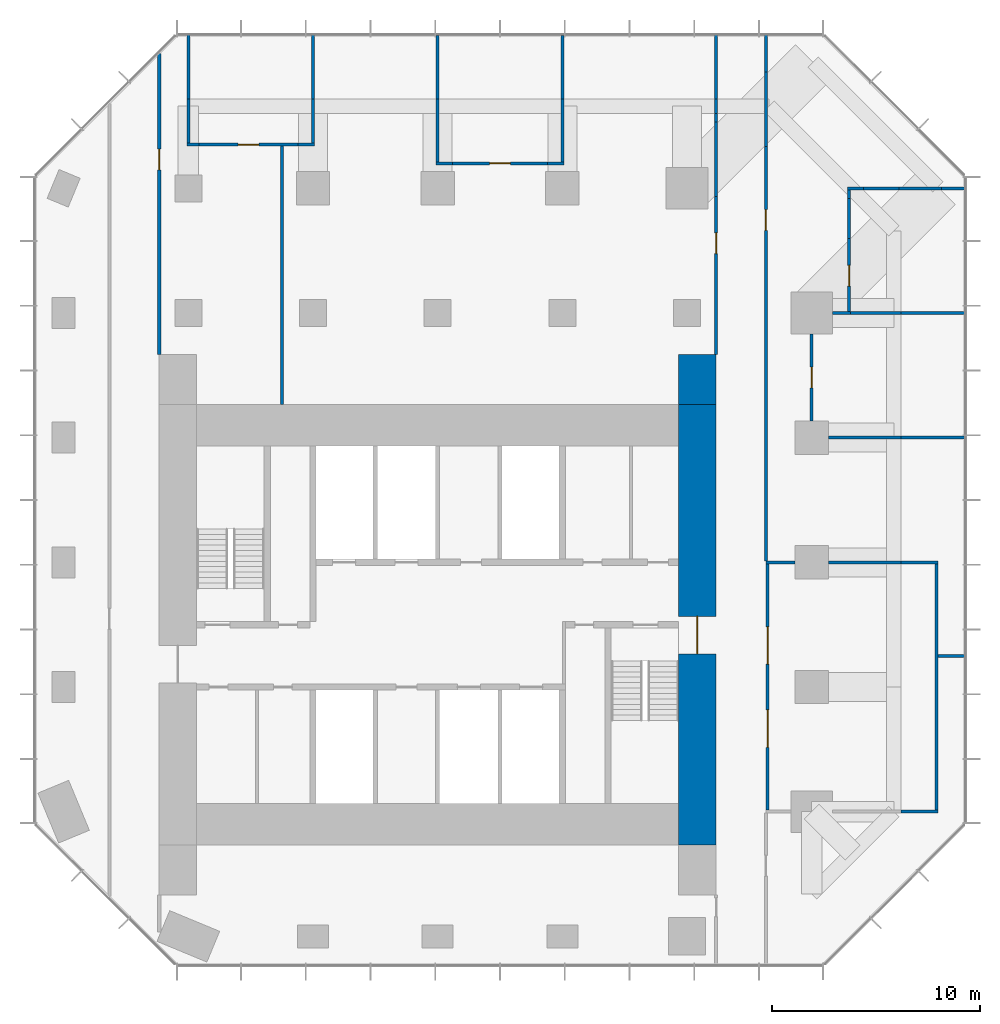
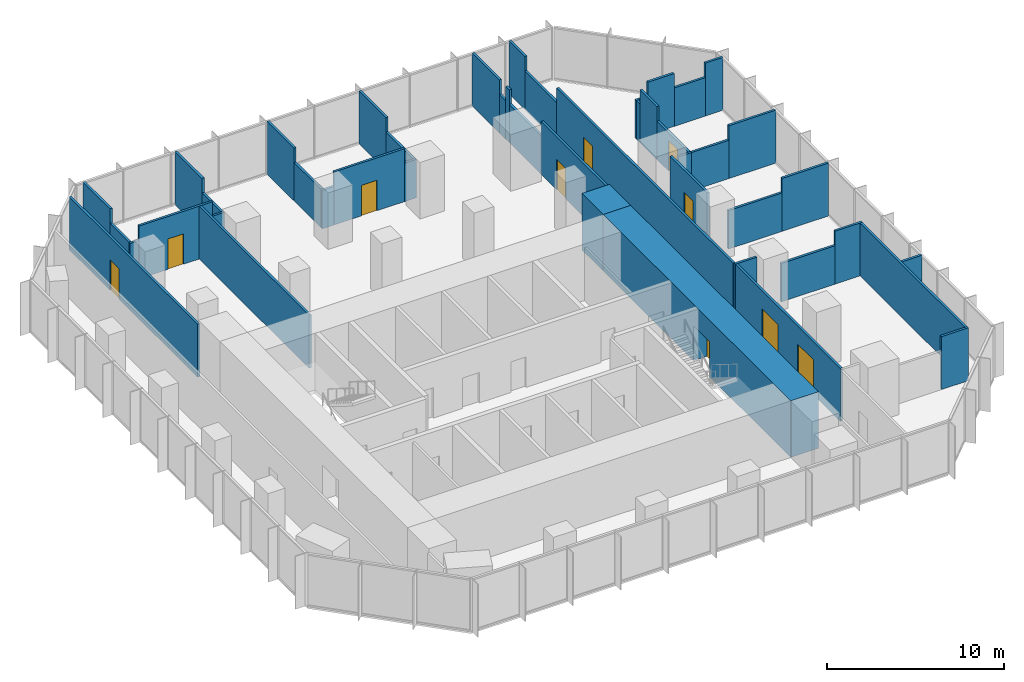
# One storey, part 9 of 11: 46 walls, 10 doors, 10 openings.
"""IFC4 building model written with IfcOpenShell, lengths in metres."""

from ifc_helpers import new_model, si_unit, direction, frame, frame_2d, origin, place, context, subcontext, project, spatial, rectangle, extrude, material, layer, layer_set, type_object, element, fill, save


model = new_model("IFC4")

# Units and contexts
model_context = context("Model", 3, precision=1e-05, world=origin(), true_north=direction((0.0, 1.0)))
body_context = subcontext(model_context, "Body", "Model", "MODEL_VIEW")
ifc_project = project(units=[si_unit("LENGTHUNIT", "METRE"), si_unit("AREAUNIT", "SQUARE_METRE"), si_unit("VOLUMEUNIT", "CUBIC_METRE"), si_unit("PLANEANGLEUNIT", "RADIAN"), si_unit("MASSUNIT", "GRAM", prefix="KILO")], contexts=[model_context])

# Site, building, storey
site_placement = place(None, origin())
site = spatial("IfcSite", under=ifc_project, at=site_placement, CompositionType="ELEMENT")
building_placement = place(site_placement, origin())
building = spatial("IfcBuilding", under=site, at=building_placement, Name="Highveld Stack Headquarters", CompositionType="ELEMENT")
storey_placement = place(building_placement, frame((0.0, 0.0, 169.39990234375)))
storey = spatial("IfcBuildingStorey", under=building, at=storey_placement, Name="L41", CompositionType="ELEMENT", Elevation=169.39990234375)

# Wall, opening, door
ifc_material_1 = material(Name="Concrete C60/75", Category="concrete")
ifc_layer_1 = layer(ifc_material_1, 1.800048828125)
ifc_layer_set_1 = layer_set([ifc_layer_1], Name="Concrete C60/75")
wall_type_1 = type_object("IfcWallType", Name="CORE WALL 1800 C60/75", PredefinedType="SHEAR", material=ifc_layer_set_1)
wall_1_placement = place(storey_placement, frame((18.5, -7.60009765625, 0.0), z_axis=(0.0, 0.0, 1.0), x_axis=(0.0, 1.0, 0.0)))
wall_1 = element("IfcWall", 1, at=wall_1_placement, inside=storey, type_object=wall_type_1, Name="Core wall E L41", PredefinedType="SHEAR", context=body_context, shape_type="SweptSolid", body=[
    extrude(rectangle(XDim=21.2001953125, YDim=1.800048828125, at=frame_2d((10.60009765625, 0.0))), origin(), (0.0, 0.0, 1.0), 3.900146484375),
])
opening_1_placement = place(wall_1_placement, frame((9.199951171875, 0.0, 0.0)))
opening_1 = element("IfcOpeningElement", 2, at=opening_1_placement, cuts=wall_1, Name="Opening L41-02", PredefinedType="OPENING", context=body_context, shape_type="SweptSolid", body=[
    extrude(rectangle(XDim=1.800048828125, YDim=2.39990234375, at=frame_2d((0.89990234375, 1.199951171875))), frame((0.0, 0.909912109375, 0.0), z_axis=(0.0, -1.0, 0.0), x_axis=(1.0, 0.0, 0.0)), (0.0, 0.0, 1.0), 1.820068359375),
])
ifc_material_2 = material(Name="Steel fire door", Category="steel")
door_type_1 = type_object("IfcDoorType", Name="LOBBY FIRE DOOR D4 1800x2400", OperationType="DOUBLE_DOOR_SINGLE_SWING", PredefinedType="DOOR", material=ifc_material_2)
door_1_placement = place(opening_1_placement, origin())
door_1 = element("IfcDoor", 3, at=door_1_placement, inside=storey, type_object=door_type_1, Name="Core east door L41", OperationType="DOUBLE_DOOR_SINGLE_SWING", OverallHeight=2.39990234375, OverallWidth=1.800048828125, PredefinedType="DOOR", context=body_context, shape_type="SweptSolid", body=[
    extrude(rectangle(XDim=1.800048828125, YDim=2.39990234375, at=frame_2d((0.89990234375, 1.199951171875))), frame((0.0, 0.02490234375, 0.0), z_axis=(0.0, -1.0, 0.0), x_axis=(1.0, 0.0, 0.0)), (0.0, 0.0, 1.0), 0.050048828125),
])
fill(opening_1, door_1)

# Walls
ifc_material_3 = material(Name="Concrete C60/75", Category="concrete")
ifc_layer_2 = layer(ifc_material_3, 1.800048828125)
ifc_layer_set_2 = layer_set([ifc_layer_2], Name="Concrete C60/75")
wall_type_2 = type_object("IfcWallType", Name="CORE WING WALL 1800 C60/75", PredefinedType="SHEAR", material=ifc_layer_set_2)
wall_2_placement = place(storey_placement, frame((18.5, 13.60009765625, 0.0), z_axis=(0.0, 0.0, 1.0), x_axis=(0.0, 1.0, 0.0)))
element("IfcWall", 4, at=wall_2_placement, inside=storey, type_object=wall_type_2, Name="Core wing wall EN L41", PredefinedType="SHEAR", context=body_context, shape_type="SweptSolid", body=[
    extrude(rectangle(XDim=2.39990234375, YDim=1.800048828125, at=frame_2d((1.199951171875, 0.0))), origin(), (0.0, 0.0, 1.0), 3.900146484375),
])
ifc_material_4 = material(Name="Concrete blockwork, plastered", Category="masonry")
ifc_layer_3 = layer(ifc_material_4, 0.14990234375)
ifc_layer_set_3 = layer_set([ifc_layer_3], Name="Concrete blockwork, plastered")
wall_type_3 = type_object("IfcWallType", Name="FIRE PARTITION 150 BLOCKWORK", PredefinedType="PARTITIONING", material=ifc_layer_set_3)
wall_3_placement = place(storey_placement, frame((28.31005859375, -6.0, 0.0), z_axis=(0.0, 0.0, 1.0), x_axis=(1.0, 0.0, 0.0)))
element("IfcWall", 5, at=wall_3_placement, inside=storey, type_object=wall_type_3, Name="Partition Sky lobby L41", PredefinedType="PARTITIONING", context=body_context, shape_type="SweptSolid", body=[
    extrude(rectangle(XDim=1.764892578125, YDim=0.14990234375, at=frame_2d((0.88232421875, 0.0))), origin(), (0.0, 0.0, 1.0), 3.650146484375),
])
wall_4_placement = place(storey_placement, frame((21.800048828125, 6.0, 0.0), z_axis=(0.0, 0.0, 1.0), x_axis=(1.0, 0.0, 0.0)))
element("IfcWall", 6, at=wall_4_placement, inside=storey, type_object=wall_type_3, Name="Partition Sky lobby L41", PredefinedType="PARTITIONING", context=body_context, shape_type="SweptSolid", body=[
    extrude(rectangle(XDim=1.39990234375, YDim=0.14990234375, at=frame_2d((0.699951171875, 0.0))), origin(), (0.0, 0.0, 1.0), 3.650146484375),
])
wall_5_placement = place(storey_placement, frame((24.800048828125, 6.0, 0.0), z_axis=(0.0, 0.0, 1.0), x_axis=(1.0, 0.0, 0.0)))
element("IfcWall", 7, at=wall_5_placement, inside=storey, type_object=wall_type_3, Name="Partition Sky lobby L41", PredefinedType="PARTITIONING", context=body_context, shape_type="SweptSolid", body=[
    extrude(rectangle(XDim=3.510009765625, YDim=0.14990234375, at=frame_2d((1.7548828125, 0.0))), origin(), (0.0, 0.0, 1.0), 2.650146484375),
])
wall_6_placement = place(storey_placement, frame((28.31005859375, 6.0, 0.0), z_axis=(0.0, 0.0, 1.0), x_axis=(1.0, 0.0, 0.0)))
element("IfcWall", 8, at=wall_6_placement, inside=storey, type_object=wall_type_3, Name="Partition Sky lobby L41", PredefinedType="PARTITIONING", context=body_context, shape_type="SweptSolid", body=[
    extrude(rectangle(XDim=1.764892578125, YDim=0.14990234375, at=frame_2d((0.88232421875, 0.0))), origin(), (0.0, 0.0, 1.0), 3.650146484375),
])

# Wall, openings, doors
wall_7_placement = place(storey_placement, frame((21.875, -5.925048828125, 0.0), z_axis=(0.0, 0.0, 1.0), x_axis=(0.0, 1.0, 0.0)))
wall_7 = element("IfcWall", 9, at=wall_7_placement, inside=storey, type_object=wall_type_3, Name="Partition Sky lobby L41", PredefinedType="PARTITIONING", context=body_context, shape_type="SweptSolid", body=[
    extrude(rectangle(XDim=11.85009765625, YDim=0.14990234375, at=frame_2d((5.925048828125, 0.0))), origin(), (0.0, 0.0, 1.0), 3.650146484375),
])
opening_2_placement = place(wall_7_placement, frame((3.02490234375, 0.0, 0.0)))
opening_2 = element("IfcOpeningElement", 10, at=opening_2_placement, cuts=wall_7, Name="Opening L41-13", PredefinedType="OPENING", context=body_context, shape_type="SweptSolid", body=[
    extrude(rectangle(XDim=1.800048828125, YDim=2.39990234375, at=frame_2d((0.89990234375, 1.199951171875))), frame((0.0, 0.0849609375, 0.0), z_axis=(0.0, -1.0, 0.0), x_axis=(1.0, 0.0, 0.0)), (0.0, 0.0, 1.0), 0.169921875),
])
opening_3_placement = place(wall_7_placement, frame((7.02490234375, 0.0, 0.0)))
opening_3 = element("IfcOpeningElement", 11, at=opening_3_placement, cuts=wall_7, Name="Opening L41-14", PredefinedType="OPENING", context=body_context, shape_type="SweptSolid", body=[
    extrude(rectangle(XDim=1.800048828125, YDim=2.39990234375, at=frame_2d((0.89990234375, 1.199951171875))), frame((0.0, 0.0849609375, 0.0), z_axis=(0.0, -1.0, 0.0), x_axis=(1.0, 0.0, 0.0)), (0.0, 0.0, 1.0), 0.169921875),
])
door_2_placement = place(opening_2_placement, origin())
door_2 = element("IfcDoor", 12, at=door_2_placement, inside=storey, type_object=door_type_1, Name="Sky lobby door 1 L41", OperationType="DOUBLE_DOOR_SINGLE_SWING", OverallHeight=2.39990234375, OverallWidth=1.800048828125, PredefinedType="DOOR", context=body_context, shape_type="SweptSolid", body=[
    extrude(rectangle(XDim=1.800048828125, YDim=2.39990234375, at=frame_2d((0.89990234375, 1.199951171875))), frame((0.0, 0.02490234375, 0.0), z_axis=(0.0, -1.0, 0.0), x_axis=(1.0, 0.0, 0.0)), (0.0, 0.0, 1.0), 0.050048828125),
])
fill(opening_2, door_2)
door_3_placement = place(opening_3_placement, origin())
door_3 = element("IfcDoor", 13, at=door_3_placement, inside=storey, type_object=door_type_1, Name="Sky lobby door 2 L41", OperationType="DOUBLE_DOOR_SINGLE_SWING", OverallHeight=2.39990234375, OverallWidth=1.800048828125, PredefinedType="DOOR", context=body_context, shape_type="SweptSolid", body=[
    extrude(rectangle(XDim=1.800048828125, YDim=2.39990234375, at=frame_2d((0.89990234375, 1.199951171875))), frame((0.0, 0.02490234375, 0.0), z_axis=(0.0, -1.0, 0.0), x_axis=(1.0, 0.0, 0.0)), (0.0, 0.0, 1.0), 0.050048828125),
])
fill(opening_3, door_3)

# Walls
wall_8_placement = place(storey_placement, frame((30.0, -5.925048828125, 0.0), z_axis=(0.0, 0.0, 1.0), x_axis=(0.0, 1.0, 0.0)))
element("IfcWall", 14, at=wall_8_placement, inside=storey, type_object=wall_type_3, Name="Partition Sky lobby L41", PredefinedType="PARTITIONING", context=body_context, shape_type="SweptSolid", body=[
    extrude(rectangle(XDim=11.85009765625, YDim=0.14990234375, at=frame_2d((5.925048828125, 0.0))), origin(), (0.0, 0.0, 1.0), 3.650146484375),
])
ifc_material_5 = material(Name="Gypsum plasterboard on steel studs", Category="steel")
ifc_layer_4 = layer(ifc_material_5, 0.14990234375)
ifc_layer_set_4 = layer_set([ifc_layer_4], Name="Gypsum plasterboard on steel studs")
wall_type_4 = type_object("IfcWallType", Name="PARTITION 150 PLASTERBOARD", PredefinedType="PARTITIONING", material=ifc_layer_set_4)
wall_9_placement = place(storey_placement, frame((24.800048828125, 12.0, 0.0), z_axis=(0.0, 0.0, 1.0), x_axis=(1.0, 0.0, 0.0)))
element("IfcWall", 15, at=wall_9_placement, inside=storey, type_object=wall_type_4, Name="Partition Office L41", PredefinedType="PARTITIONING", context=body_context, shape_type="SweptSolid", body=[
    extrude(rectangle(XDim=3.510009765625, YDim=0.14990234375, at=frame_2d((1.7548828125, 0.0))), origin(), (0.0, 0.0, 1.0), 2.650146484375),
])
wall_10_placement = place(storey_placement, frame((28.31005859375, 12.0, 0.0), z_axis=(0.0, 0.0, 1.0), x_axis=(1.0, 0.0, 0.0)))
element("IfcWall", 16, at=wall_10_placement, inside=storey, type_object=wall_type_4, Name="Partition Office L41", PredefinedType="PARTITIONING", context=body_context, shape_type="SweptSolid", body=[
    extrude(rectangle(XDim=3.0400390625, YDim=0.14990234375, at=frame_2d((1.52001953125, 0.0))), origin(), (0.0, 0.0, 1.0), 3.650146484375),
])
wall_11_placement = place(storey_placement, frame((25.0, 18.0, 0.0), z_axis=(0.0, 0.0, 1.0), x_axis=(1.0, 0.0, 0.0)))
element("IfcWall", 17, at=wall_11_placement, inside=storey, type_object=wall_type_4, Name="Partition Office L41", PredefinedType="PARTITIONING", context=body_context, shape_type="SweptSolid", body=[
    extrude(rectangle(XDim=0.875, YDim=0.14990234375, at=frame_2d((0.4375, 0.0))), origin(), (0.0, 0.0, 1.0), 2.650146484375),
])
wall_12_placement = place(storey_placement, frame((25.800048828125, 18.0, 0.0), z_axis=(0.0, 0.0, 1.0), x_axis=(1.0, 0.0, 0.0)))
element("IfcWall", 18, at=wall_12_placement, inside=storey, type_object=wall_type_4, Name="Partition Office / Print room L41", PredefinedType="PARTITIONING", context=body_context, shape_type="SweptSolid", body=[
    extrude(rectangle(XDim=2.510009765625, YDim=0.14990234375, at=frame_2d((1.2548828125, 0.0))), origin(), (0.0, 0.0, 1.0), 2.650146484375),
])
wall_13_placement = place(storey_placement, frame((28.31005859375, 18.0, 0.0), z_axis=(0.0, 0.0, 1.0), x_axis=(1.0, 0.0, 0.0)))
element("IfcWall", 19, at=wall_13_placement, inside=storey, type_object=wall_type_4, Name="Partition Office / Print room L41", PredefinedType="PARTITIONING", context=body_context, shape_type="SweptSolid", body=[
    extrude(rectangle(XDim=3.06494140625, YDim=0.14990234375, at=frame_2d((1.532470703125, 0.0))), origin(), (0.0, 0.0, 1.0), 3.650146484375),
])
wall_14_placement = place(storey_placement, frame((25.72509765625, 24.0, 0.0), z_axis=(0.0, 0.0, 1.0), x_axis=(1.0, 0.0, 0.0)))
element("IfcWall", 20, at=wall_14_placement, inside=storey, type_object=wall_type_4, Name="Partition Print room L41", PredefinedType="PARTITIONING", context=body_context, shape_type="SweptSolid", body=[
    extrude(rectangle(XDim=0.764892578125, YDim=0.14990234375, at=frame_2d((0.38232421875, 0.0))), origin(), (0.0, 0.0, 1.0), 2.650146484375),
])
wall_15_placement = place(storey_placement, frame((26.489990234375, 24.0, 0.0), z_axis=(0.0, 0.0, 1.0), x_axis=(1.0, 0.0, 0.0)))
element("IfcWall", 21, at=wall_15_placement, inside=storey, type_object=wall_type_4, Name="Partition Print room L41", PredefinedType="PARTITIONING", context=body_context, shape_type="SweptSolid", body=[
    extrude(rectangle(XDim=1.718017578125, YDim=0.14990234375, at=frame_2d((0.85888671875, 0.0))), origin(), (0.0, 0.0, 1.0), 3.650146484375),
])
wall_16_placement = place(storey_placement, frame((28.2080078125, 24.0, 0.0), z_axis=(0.0, 0.0, 1.0), x_axis=(1.0, 0.0, 0.0)))
element("IfcWall", 22, at=wall_16_placement, inside=storey, type_object=wall_type_4, Name="Partition Print room L41", PredefinedType="PARTITIONING", context=body_context, shape_type="SweptSolid", body=[
    extrude(rectangle(XDim=2.029052734375, YDim=0.14990234375, at=frame_2d((1.0146484375, 0.0))), origin(), (0.0, 0.0, 1.0), 2.650146484375),
])
wall_17_placement = place(storey_placement, frame((30.237060546875, 24.0, 0.0), z_axis=(0.0, 0.0, 1.0), x_axis=(1.0, 0.0, 0.0)))
element("IfcWall", 23, at=wall_17_placement, inside=storey, type_object=wall_type_4, Name="Partition Print room L41", PredefinedType="PARTITIONING", context=body_context, shape_type="SweptSolid", body=[
    extrude(rectangle(XDim=1.137939453125, YDim=0.14990234375, at=frame_2d((0.56884765625, 0.0))), origin(), (0.0, 0.0, 1.0), 3.650146484375),
])
wall_18_placement = place(storey_placement, frame((5.925048828125, 25.199951171875, 0.0), z_axis=(0.0, 0.0, 1.0), x_axis=(1.0, 0.0, 0.0)))
element("IfcWall", 24, at=wall_18_placement, inside=storey, type_object=wall_type_4, Name="Partition Tea kitchen L41", PredefinedType="PARTITIONING", context=body_context, shape_type="SweptSolid", body=[
    extrude(rectangle(XDim=0.784912109375, YDim=0.14990234375, at=frame_2d((0.392578125, 0.0))), origin(), (0.0, 0.0, 1.0), 2.650146484375),
])

# Wall, opening, door
wall_19_placement = place(storey_placement, frame((6.7099609375, 25.199951171875, 0.0), z_axis=(0.0, 0.0, 1.0), x_axis=(1.0, 0.0, 0.0)))
wall_19 = element("IfcWall", 25, at=wall_19_placement, inside=storey, type_object=wall_type_4, Name="Partition Tea kitchen L41", PredefinedType="PARTITIONING", context=body_context, shape_type="SweptSolid", body=[
    extrude(rectangle(XDim=4.580078125, YDim=0.14990234375, at=frame_2d((2.2900390625, 0.0))), origin(), (0.0, 0.0, 1.0), 3.650146484375),
])
opening_4_placement = place(wall_19_placement, frame((1.7900390625, 0.0, 0.0)))
opening_4 = element("IfcOpeningElement", 26, at=opening_4_placement, cuts=wall_19, Name="Opening L41-18", PredefinedType="OPENING", context=body_context, shape_type="SweptSolid", body=[
    extrude(rectangle(XDim=1.0, YDim=2.10009765625, at=frame_2d((0.5, 1.050048828125))), frame((0.0, 0.0849609375, 0.0), z_axis=(0.0, -1.0, 0.0), x_axis=(1.0, 0.0, 0.0)), (0.0, 0.0, 1.0), 0.169921875),
])
ifc_material_6 = material(Name="Timber door, oiled ash", Category="wood")
door_type_2 = type_object("IfcDoorType", Name="ROOM DOOR D6 1000x2100", OperationType="SINGLE_SWING_LEFT", PredefinedType="DOOR", material=ifc_material_6)
door_4_placement = place(opening_4_placement, origin())
door_4 = element("IfcDoor", 27, at=door_4_placement, inside=storey, type_object=door_type_2, Name="Tea kitchen door 1 L41", OperationType="SINGLE_SWING_LEFT", OverallHeight=2.10009765625, OverallWidth=1.0, PredefinedType="DOOR", context=body_context, shape_type="SweptSolid", body=[
    extrude(rectangle(XDim=1.0, YDim=2.10009765625, at=frame_2d((0.5, 1.050048828125))), frame((0.0, 0.02490234375, 0.0), z_axis=(0.0, -1.0, 0.0), x_axis=(1.0, 0.0, 0.0)), (0.0, 0.0, 1.0), 0.050048828125),
])
fill(opening_4, door_4)

# Walls
wall_20_placement = place(storey_placement, frame((11.2900390625, 25.199951171875, 0.0), z_axis=(0.0, 0.0, 1.0), x_axis=(1.0, 0.0, 0.0)))
element("IfcWall", 28, at=wall_20_placement, inside=storey, type_object=wall_type_4, Name="Partition Tea kitchen L41", PredefinedType="PARTITIONING", context=body_context, shape_type="SweptSolid", body=[
    extrude(rectangle(XDim=0.784912109375, YDim=0.14990234375, at=frame_2d((0.392578125, 0.0))), origin(), (0.0, 0.0, 1.0), 2.650146484375),
])
wall_21_placement = place(storey_placement, frame((-6.074951171875, 26.10009765625, 0.0), z_axis=(0.0, 0.0, 1.0), x_axis=(1.0, 0.0, 0.0)))
element("IfcWall", 29, at=wall_21_placement, inside=storey, type_object=wall_type_4, Name="Partition Meeting room L41", PredefinedType="PARTITIONING", context=body_context, shape_type="SweptSolid", body=[
    extrude(rectangle(XDim=0.5849609375, YDim=0.14990234375, at=frame_2d((0.29248046875, 0.0))), origin(), (0.0, 0.0, 1.0), 2.650146484375),
])

# Wall, opening, door
wall_22_placement = place(storey_placement, frame((-5.489990234375, 26.10009765625, 0.0), z_axis=(0.0, 0.0, 1.0), x_axis=(1.0, 0.0, 0.0)))
wall_22 = element("IfcWall", 30, at=wall_22_placement, inside=storey, type_object=wall_type_4, Name="Partition Meeting room L41", PredefinedType="PARTITIONING", context=body_context, shape_type="SweptSolid", body=[
    extrude(rectangle(XDim=4.780029296875, YDim=0.14990234375, at=frame_2d((2.39013671875, 0.0))), origin(), (0.0, 0.0, 1.0), 3.650146484375),
])
opening_5_placement = place(wall_22_placement, frame((1.889892578125, 0.0, 0.0)))
opening_5 = element("IfcOpeningElement", 31, at=opening_5_placement, cuts=wall_22, Name="Opening L41-17", PredefinedType="OPENING", context=body_context, shape_type="SweptSolid", body=[
    extrude(rectangle(XDim=1.0, YDim=2.10009765625, at=frame_2d((0.5, 1.050048828125))), frame((0.0, 0.0849609375, 0.0), z_axis=(0.0, -1.0, 0.0), x_axis=(1.0, 0.0, 0.0)), (0.0, 0.0, 1.0), 0.169921875),
])
door_5_placement = place(opening_5_placement, origin())
door_5 = element("IfcDoor", 32, at=door_5_placement, inside=storey, type_object=door_type_2, Name="Meeting room door 1 L41", OperationType="SINGLE_SWING_RIGHT", OverallHeight=2.10009765625, OverallWidth=1.0, PredefinedType="DOOR", context=body_context, shape_type="SweptSolid", body=[
    extrude(rectangle(XDim=1.0, YDim=2.10009765625, at=frame_2d((0.5, 1.050048828125))), frame((0.0, 0.02490234375, 0.0), z_axis=(0.0, -1.0, 0.0), x_axis=(1.0, 0.0, 0.0)), (0.0, 0.0, 1.0), 0.050048828125),
])
fill(opening_5, door_5)

# Walls
wall_23_placement = place(storey_placement, frame((-0.7099609375, 26.10009765625, 0.0), z_axis=(0.0, 0.0, 1.0), x_axis=(1.0, 0.0, 0.0)))
element("IfcWall", 33, at=wall_23_placement, inside=storey, type_object=wall_type_4, Name="Partition Meeting room L41", PredefinedType="PARTITIONING", context=body_context, shape_type="SweptSolid", body=[
    extrude(rectangle(XDim=0.784912109375, YDim=0.14990234375, at=frame_2d((0.392578125, 0.0))), origin(), (0.0, 0.0, 1.0), 2.650146484375),
])
wall_24_placement = place(storey_placement, frame((-6.0, 26.175048828125, 0.0), z_axis=(0.0, 0.0, 1.0), x_axis=(0.0, 1.0, 0.0)))
element("IfcWall", 34, at=wall_24_placement, inside=storey, type_object=wall_type_4, Name="Partition Meeting room L41", PredefinedType="PARTITIONING", context=body_context, shape_type="SweptSolid", body=[
    extrude(rectangle(XDim=2.135009765625, YDim=0.14990234375, at=frame_2d((1.0673828125, 0.0))), origin(), (0.0, 0.0, 1.0), 2.650146484375),
])
wall_25_placement = place(storey_placement, frame((-6.0, 28.31005859375, 0.0), z_axis=(0.0, 0.0, 1.0), x_axis=(0.0, 1.0, 0.0)))
element("IfcWall", 35, at=wall_25_placement, inside=storey, type_object=wall_type_4, Name="Partition Meeting room L41", PredefinedType="PARTITIONING", context=body_context, shape_type="SweptSolid", body=[
    extrude(rectangle(XDim=3.06494140625, YDim=0.14990234375, at=frame_2d((1.532470703125, 0.0))), origin(), (0.0, 0.0, 1.0), 3.650146484375),
])
wall_26_placement = place(storey_placement, frame((0.0, 26.175048828125, 0.0), z_axis=(0.0, 0.0, 1.0), x_axis=(0.0, 1.0, 0.0)))
element("IfcWall", 36, at=wall_26_placement, inside=storey, type_object=wall_type_4, Name="Partition Meeting room L41", PredefinedType="PARTITIONING", context=body_context, shape_type="SweptSolid", body=[
    extrude(rectangle(XDim=2.135009765625, YDim=0.14990234375, at=frame_2d((1.0673828125, 0.0))), origin(), (0.0, 0.0, 1.0), 2.650146484375),
])
wall_27_placement = place(storey_placement, frame((0.0, 28.31005859375, 0.0), z_axis=(0.0, 0.0, 1.0), x_axis=(0.0, 1.0, 0.0)))
element("IfcWall", 37, at=wall_27_placement, inside=storey, type_object=wall_type_4, Name="Partition Meeting room L41", PredefinedType="PARTITIONING", context=body_context, shape_type="SweptSolid", body=[
    extrude(rectangle(XDim=3.06494140625, YDim=0.14990234375, at=frame_2d((1.532470703125, 0.0))), origin(), (0.0, 0.0, 1.0), 3.650146484375),
])
wall_28_placement = place(storey_placement, frame((6.0, 25.27490234375, 0.0), z_axis=(0.0, 0.0, 1.0), x_axis=(0.0, 1.0, 0.0)))
element("IfcWall", 38, at=wall_28_placement, inside=storey, type_object=wall_type_4, Name="Partition Tea kitchen L41", PredefinedType="PARTITIONING", context=body_context, shape_type="SweptSolid", body=[
    extrude(rectangle(XDim=3.03515625, YDim=0.14990234375, at=frame_2d((1.517578125, 0.0))), origin(), (0.0, 0.0, 1.0), 2.650146484375),
])
wall_29_placement = place(storey_placement, frame((6.0, 28.31005859375, 0.0), z_axis=(0.0, 0.0, 1.0), x_axis=(0.0, 1.0, 0.0)))
element("IfcWall", 39, at=wall_29_placement, inside=storey, type_object=wall_type_4, Name="Partition Tea kitchen L41", PredefinedType="PARTITIONING", context=body_context, shape_type="SweptSolid", body=[
    extrude(rectangle(XDim=3.0400390625, YDim=0.14990234375, at=frame_2d((1.52001953125, 0.0))), origin(), (0.0, 0.0, 1.0), 3.650146484375),
])
wall_30_placement = place(storey_placement, frame((12.0, 25.27490234375, 0.0), z_axis=(0.0, 0.0, 1.0), x_axis=(0.0, 1.0, 0.0)))
element("IfcWall", 40, at=wall_30_placement, inside=storey, type_object=wall_type_4, Name="Partition Tea kitchen L41", PredefinedType="PARTITIONING", context=body_context, shape_type="SweptSolid", body=[
    extrude(rectangle(XDim=3.03515625, YDim=0.14990234375, at=frame_2d((1.517578125, 0.0))), origin(), (0.0, 0.0, 1.0), 2.650146484375),
])
wall_31_placement = place(storey_placement, frame((12.0, 28.31005859375, 0.0), z_axis=(0.0, 0.0, 1.0), x_axis=(0.0, 1.0, 0.0)))
element("IfcWall", 41, at=wall_31_placement, inside=storey, type_object=wall_type_4, Name="Partition Tea kitchen L41", PredefinedType="PARTITIONING", context=body_context, shape_type="SweptSolid", body=[
    extrude(rectangle(XDim=3.0400390625, YDim=0.14990234375, at=frame_2d((1.52001953125, 0.0))), origin(), (0.0, 0.0, 1.0), 3.650146484375),
])

# Wall, opening, door
wall_32_placement = place(storey_placement, frame((24.0, 12.800048828125, 0.0), z_axis=(0.0, 0.0, 1.0), x_axis=(0.0, 1.0, 0.0)))
wall_32 = element("IfcWall", 42, at=wall_32_placement, inside=storey, type_object=wall_type_4, Name="Partition Office L41", PredefinedType="PARTITIONING", context=body_context, shape_type="SweptSolid", body=[
    extrude(rectangle(XDim=4.199951171875, YDim=0.14990234375, at=frame_2d((2.10009765625, 0.0))), origin(), (0.0, 0.0, 1.0), 3.650146484375),
])
opening_6_placement = place(wall_32_placement, frame((1.60009765625, 0.0, 0.0)))
opening_6 = element("IfcOpeningElement", 43, at=opening_6_placement, cuts=wall_32, Name="Opening L41-15", PredefinedType="OPENING", context=body_context, shape_type="SweptSolid", body=[
    extrude(rectangle(XDim=1.0, YDim=2.10009765625, at=frame_2d((0.5, 1.050048828125))), frame((0.0, 0.0849609375, 0.0), z_axis=(0.0, -1.0, 0.0), x_axis=(1.0, 0.0, 0.0)), (0.0, 0.0, 1.0), 0.169921875),
])
door_6_placement = place(opening_6_placement, origin())
door_6 = element("IfcDoor", 44, at=door_6_placement, inside=storey, type_object=door_type_2, Name="Office door 1 L41", OperationType="SINGLE_SWING_LEFT", OverallHeight=2.10009765625, OverallWidth=1.0, PredefinedType="DOOR", context=body_context, shape_type="SweptSolid", body=[
    extrude(rectangle(XDim=1.0, YDim=2.10009765625, at=frame_2d((0.5, 1.050048828125))), frame((0.0, 0.02490234375, 0.0), z_axis=(0.0, -1.0, 0.0), x_axis=(1.0, 0.0, 0.0)), (0.0, 0.0, 1.0), 0.050048828125),
])
fill(opening_6, door_6)

wall_33_placement = place(storey_placement, frame((25.800048828125, 18.074951171875, 0.0), z_axis=(0.0, 0.0, 1.0), x_axis=(0.0, 1.0, 0.0)))
wall_33 = element("IfcWall", 45, at=wall_33_placement, inside=storey, type_object=wall_type_4, Name="Partition Print room L41", PredefinedType="PARTITIONING", context=body_context, shape_type="SweptSolid", body=[
    extrude(rectangle(XDim=3.51708984375, YDim=0.14990234375, at=frame_2d((1.758544921875, 0.0))), origin(), (0.0, 0.0, 1.0), 2.650146484375),
])
opening_7_placement = place(wall_33_placement, frame((1.220947265625, 0.0, 0.0)))
opening_7 = element("IfcOpeningElement", 46, at=opening_7_placement, cuts=wall_33, Name="Opening L41-16", PredefinedType="OPENING", context=body_context, shape_type="SweptSolid", body=[
    extrude(rectangle(XDim=1.0, YDim=2.10009765625, at=frame_2d((0.5, 1.050048828125))), frame((0.0, 0.0849609375, 0.0), z_axis=(0.0, -1.0, 0.0), x_axis=(1.0, 0.0, 0.0)), (0.0, 0.0, 1.0), 0.169921875),
])
door_7_placement = place(opening_7_placement, origin())
door_7 = element("IfcDoor", 47, at=door_7_placement, inside=storey, type_object=door_type_2, Name="Print room door 1 L41", OperationType="SINGLE_SWING_LEFT", OverallHeight=2.10009765625, OverallWidth=1.0, PredefinedType="DOOR", context=body_context, shape_type="SweptSolid", body=[
    extrude(rectangle(XDim=1.0, YDim=2.10009765625, at=frame_2d((0.5, 1.050048828125))), frame((0.0, 0.02490234375, 0.0), z_axis=(0.0, -1.0, 0.0), x_axis=(1.0, 0.0, 0.0)), (0.0, 0.0, 1.0), 0.050048828125),
])
fill(opening_7, door_7)

# Walls
wall_34_placement = place(storey_placement, frame((25.800048828125, 21.592041015625, 0.0), z_axis=(0.0, 0.0, 1.0), x_axis=(0.0, 1.0, 0.0)))
element("IfcWall", 48, at=wall_34_placement, inside=storey, type_object=wall_type_4, Name="Partition Print room L41", PredefinedType="PARTITIONING", context=body_context, shape_type="SweptSolid", body=[
    extrude(rectangle(XDim=1.91796875, YDim=0.14990234375, at=frame_2d((0.958984375, 0.0))), origin(), (0.0, 0.0, 1.0), 3.650146484375),
])
wall_35_placement = place(storey_placement, frame((25.800048828125, 23.510009765625, 0.0), z_axis=(0.0, 0.0, 1.0), x_axis=(0.0, 1.0, 0.0)))
element("IfcWall", 49, at=wall_35_placement, inside=storey, type_object=wall_type_4, Name="Partition Print room L41", PredefinedType="PARTITIONING", context=body_context, shape_type="SweptSolid", body=[
    extrude(rectangle(XDim=0.4150390625, YDim=0.14990234375, at=frame_2d((0.20751953125, 0.0))), origin(), (0.0, 0.0, 1.0), 2.650146484375),
])

# Wall, opening, door
wall_36_placement = place(storey_placement, frame((-7.39990234375, 16.0, 0.0), z_axis=(0.0, 0.0, 1.0), x_axis=(0.0, 1.0, 0.0)))
wall_36 = element("IfcWall", 50, at=wall_36_placement, inside=storey, type_object=wall_type_4, Name="Partition office neighbourhood L41", PredefinedType="PARTITIONING", context=body_context, shape_type="SweptSolid", body=[
    extrude(rectangle(XDim=14.489013671875, YDim=0.14990234375, at=frame_2d((7.24462890625, 0.0))), origin(), (0.0, 0.0, 1.0), 3.650146484375),
])
opening_8_placement = place(wall_36_placement, frame((8.885009765625, 0.0, 0.0)))
opening_8 = element("IfcOpeningElement", 51, at=opening_8_placement, cuts=wall_36, Name="Opening L41-22", PredefinedType="OPENING", context=body_context, shape_type="SweptSolid", body=[
    extrude(rectangle(XDim=1.0, YDim=2.10009765625, at=frame_2d((0.5, 1.050048828125))), frame((0.0, 0.0849609375, 0.0), z_axis=(0.0, -1.0, 0.0), x_axis=(1.0, 0.0, 0.0)), (0.0, 0.0, 1.0), 0.169921875),
])
door_8_placement = place(opening_8_placement, origin())
door_8 = element("IfcDoor", 52, at=door_8_placement, inside=storey, type_object=door_type_2, Name="Office neighbourhood door L41", OperationType="SINGLE_SWING_RIGHT", OverallHeight=2.10009765625, OverallWidth=1.0, PredefinedType="DOOR", context=body_context, shape_type="SweptSolid", body=[
    extrude(rectangle(XDim=1.0, YDim=2.10009765625, at=frame_2d((0.5, 1.050048828125))), frame((0.0, 0.02490234375, 0.0), z_axis=(0.0, -1.0, 0.0), x_axis=(1.0, 0.0, 0.0)), (0.0, 0.0, 1.0), 0.050048828125),
])
fill(opening_8, door_8)

# Wall
wall_37_placement = place(storey_placement, frame((-1.5, 13.60009765625, 0.0), z_axis=(0.0, 0.0, 1.0), x_axis=(0.0, 1.0, 0.0)))
element("IfcWall", 53, at=wall_37_placement, inside=storey, type_object=wall_type_4, Name="Partition office neighbourhood L41", PredefinedType="PARTITIONING", context=body_context, shape_type="SweptSolid", body=[
    extrude(rectangle(XDim=12.4248046875, YDim=0.14990234375, at=frame_2d((6.21240234375, 0.0))), origin(), (0.0, 0.0, 1.0), 3.650146484375),
])

# Wall, opening, door
wall_38_placement = place(storey_placement, frame((19.39990234375, 16.0, 0.0), z_axis=(0.0, 0.0, 1.0), x_axis=(0.0, 1.0, 0.0)))
wall_38 = element("IfcWall", 54, at=wall_38_placement, inside=storey, type_object=wall_type_4, Name="Partition office neighbourhood L41", PredefinedType="PARTITIONING", context=body_context, shape_type="SweptSolid", body=[
    extrude(rectangle(XDim=7.60791015625, YDim=0.14990234375, at=frame_2d((3.803955078125, 0.0))), origin(), (0.0, 0.0, 1.0), 3.650146484375),
])
opening_9_placement = place(wall_38_placement, frame((4.85498046875, 0.0, 0.0)))
opening_9 = element("IfcOpeningElement", 55, at=opening_9_placement, cuts=wall_38, Name="Opening L41-23", PredefinedType="OPENING", context=body_context, shape_type="SweptSolid", body=[
    extrude(rectangle(XDim=1.0, YDim=2.10009765625, at=frame_2d((0.5, 1.050048828125))), frame((0.0, 0.0849609375, 0.0), z_axis=(0.0, -1.0, 0.0), x_axis=(1.0, 0.0, 0.0)), (0.0, 0.0, 1.0), 0.169921875),
])
door_9_placement = place(opening_9_placement, origin())
door_9 = element("IfcDoor", 56, at=door_9_placement, inside=storey, type_object=door_type_2, Name="Office neighbourhood door L41", OperationType="SINGLE_SWING_RIGHT", OverallHeight=2.10009765625, OverallWidth=1.0, PredefinedType="DOOR", context=body_context, shape_type="SweptSolid", body=[
    extrude(rectangle(XDim=1.0, YDim=2.10009765625, at=frame_2d((0.5, 1.050048828125))), frame((0.0, 0.02490234375, 0.0), z_axis=(0.0, -1.0, 0.0), x_axis=(1.0, 0.0, 0.0)), (0.0, 0.0, 1.0), 0.050048828125),
])
fill(opening_9, door_9)

# Walls
wall_39_placement = place(storey_placement, frame((19.39990234375, 23.60791015625, 0.0), z_axis=(0.0, 0.0, 1.0), x_axis=(0.0, 1.0, 0.0)))
element("IfcWall", 57, at=wall_39_placement, inside=storey, type_object=wall_type_4, Name="Partition office neighbourhood L41", PredefinedType="PARTITIONING", context=body_context, shape_type="SweptSolid", body=[
    extrude(rectangle(XDim=3.584228515625, YDim=0.14990234375, at=frame_2d((1.7919921875, 0.0))), origin(), (0.0, 0.0, 1.0), 2.650146484375),
])
wall_40_placement = place(storey_placement, frame((19.39990234375, 27.192138671875, 0.0), z_axis=(0.0, 0.0, 1.0), x_axis=(0.0, 1.0, 0.0)))
element("IfcWall", 58, at=wall_40_placement, inside=storey, type_object=wall_type_4, Name="Partition office neighbourhood L41", PredefinedType="PARTITIONING", context=body_context, shape_type="SweptSolid", body=[
    extrude(rectangle(XDim=0.39794921875, YDim=0.14990234375, at=frame_2d((0.198974609375, 0.0))), origin(), (0.0, 0.0, 1.0), 3.650146484375),
])
wall_41_placement = place(storey_placement, frame((19.39990234375, 27.590087890625, 0.0), z_axis=(0.0, 0.0, 1.0), x_axis=(0.0, 1.0, 0.0)))
element("IfcWall", 59, at=wall_41_placement, inside=storey, type_object=wall_type_4, Name="Partition office neighbourhood L41", PredefinedType="PARTITIONING", context=body_context, shape_type="SweptSolid", body=[
    extrude(rectangle(XDim=0.719970703125, YDim=0.14990234375, at=frame_2d((0.35986328125, 0.0))), origin(), (0.0, 0.0, 1.0), 2.650146484375),
])
wall_42_placement = place(storey_placement, frame((19.39990234375, 28.31005859375, 0.0), z_axis=(0.0, 0.0, 1.0), x_axis=(0.0, 1.0, 0.0)))
element("IfcWall", 60, at=wall_42_placement, inside=storey, type_object=wall_type_4, Name="Partition office neighbourhood L41", PredefinedType="PARTITIONING", context=body_context, shape_type="SweptSolid", body=[
    extrude(rectangle(XDim=3.06494140625, YDim=0.14990234375, at=frame_2d((1.532470703125, 0.0))), origin(), (0.0, 0.0, 1.0), 3.650146484375),
])

# Wall, opening, door
wall_43_placement = place(storey_placement, frame((21.800048828125, 6.074951171875, 0.0), z_axis=(0.0, 0.0, 1.0), x_axis=(0.0, 1.0, 0.0)))
wall_43 = element("IfcWall", 61, at=wall_43_placement, inside=storey, type_object=wall_type_4, Name="Partition office neighbourhood L41", PredefinedType="PARTITIONING", context=body_context, shape_type="SweptSolid", body=[
    extrude(rectangle(XDim=19.932861328125, YDim=0.14990234375, at=frame_2d((9.96630859375, 0.0))), origin(), (0.0, 0.0, 1.0), 3.650146484375),
])
opening_10_placement = place(wall_43_placement, frame((15.89599609375, 0.0, 0.0)))
opening_10 = element("IfcOpeningElement", 62, at=opening_10_placement, cuts=wall_43, Name="Opening L41-21", PredefinedType="OPENING", context=body_context, shape_type="SweptSolid", body=[
    extrude(rectangle(XDim=1.0, YDim=2.10009765625, at=frame_2d((0.5, 1.050048828125))), frame((0.0, 0.0849609375, 0.0), z_axis=(0.0, -1.0, 0.0), x_axis=(1.0, 0.0, 0.0)), (0.0, 0.0, 1.0), 0.169921875),
])
door_10_placement = place(opening_10_placement, origin())
door_10 = element("IfcDoor", 63, at=door_10_placement, inside=storey, type_object=door_type_2, Name="Office neighbourhood door L41", OperationType="SINGLE_SWING_RIGHT", OverallHeight=2.10009765625, OverallWidth=1.0, PredefinedType="DOOR", context=body_context, shape_type="SweptSolid", body=[
    extrude(rectangle(XDim=1.0, YDim=2.10009765625, at=frame_2d((0.5, 1.050048828125))), frame((0.0, 0.02490234375, 0.0), z_axis=(0.0, -1.0, 0.0), x_axis=(1.0, 0.0, 0.0)), (0.0, 0.0, 1.0), 0.050048828125),
])
fill(opening_10, door_10)

# Walls
wall_44_placement = place(storey_placement, frame((21.800048828125, 26.0078125, 0.0), z_axis=(0.0, 0.0, 1.0), x_axis=(0.0, 1.0, 0.0)))
element("IfcWall", 64, at=wall_44_placement, inside=storey, type_object=wall_type_4, Name="Partition office neighbourhood L41", PredefinedType="PARTITIONING", context=body_context, shape_type="SweptSolid", body=[
    extrude(rectangle(XDim=3.584228515625, YDim=0.14990234375, at=frame_2d((1.7919921875, 0.0))), origin(), (0.0, 0.0, 1.0), 2.650146484375),
])
wall_45_placement = place(storey_placement, frame((21.800048828125, 29.592041015625, 0.0), z_axis=(0.0, 0.0, 1.0), x_axis=(0.0, 1.0, 0.0)))
element("IfcWall", 65, at=wall_45_placement, inside=storey, type_object=wall_type_4, Name="Partition office neighbourhood L41", PredefinedType="PARTITIONING", context=body_context, shape_type="SweptSolid", body=[
    extrude(rectangle(XDim=1.782958984375, YDim=0.14990234375, at=frame_2d((0.8916015625, 0.0))), origin(), (0.0, 0.0, 1.0), 3.650146484375),
])
wall_46_placement = place(storey_placement, frame((30.074951171875, 1.5, 0.0), z_axis=(0.0, 0.0, 1.0), x_axis=(1.0, 0.0, 0.0)))
element("IfcWall", 66, at=wall_46_placement, inside=storey, type_object=wall_type_4, Name="Partition office neighbourhood L41", PredefinedType="PARTITIONING", context=body_context, shape_type="SweptSolid", body=[
    extrude(rectangle(XDim=1.300048828125, YDim=0.14990234375, at=frame_2d((0.64990234375, 0.0))), origin(), (0.0, 0.0, 1.0), 3.650146484375),
])

save(model, "model.ifc")
